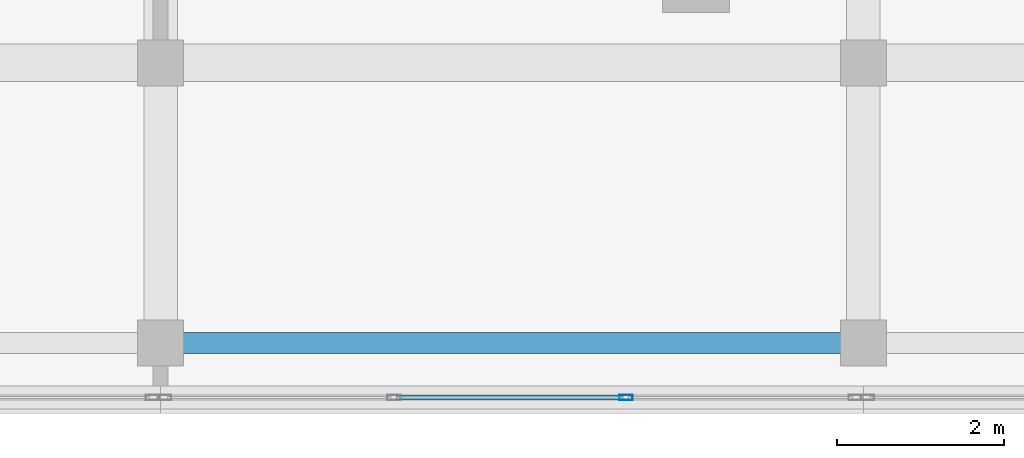
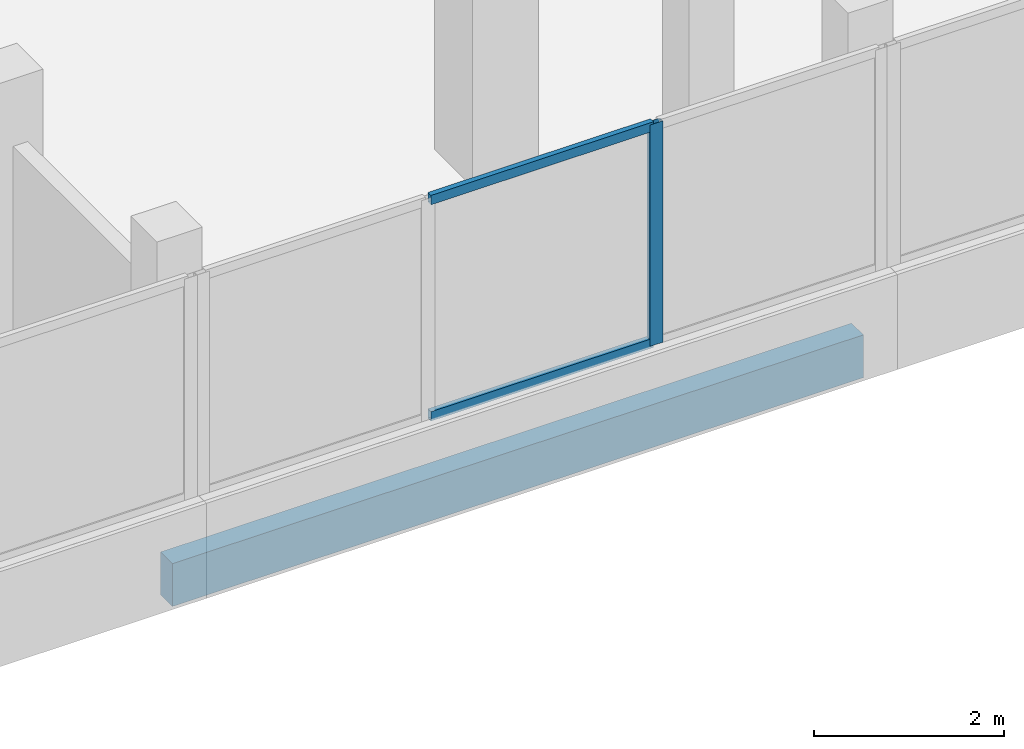
# One storey, part 14 of 66: 3 members, 1 beam, 1 element without a shape of its own.
"""IFC4 building model written with IfcOpenShell, lengths in metres."""

import ifcopenshell
import ifcopenshell.guid

model = None  # the IFC model being written
_history = None  # IfcOwnerHistory: only IFC2X3 demands one
_inside = {}  # id of a spatial element -> (the spatial element, [elements in it])
_under = {}  # id of a project, library or spatial element -> (it, [spatial elements below it])
_declared = {}  # id of a project -> (the project, [libraries it declares])
_typed = {}  # id of a type object -> (the type object, [elements of that type])
_made_of = {}  # id of a material, layer set ... -> (it, [elements and type objects made of it])


def new_model(schema):
    """Start an empty IFC model of exactly this schema.

    Asked for "IFC4X3", IfcOpenShell would pick the latest addendum, in which some entities
    have other attributes; the version numbers below select the first issue.
    IFC2X3 requires an IfcOwnerHistory on every rooted entity: one is made here for all.
    """
    global model, _history
    if schema == "IFC4X3":
        model = ifcopenshell.file(schema_version=(4, 3, 0, 0))
    else:
        model = ifcopenshell.file(schema=schema)
    _inside.clear()
    _under.clear()
    _declared.clear()
    _typed.clear()
    _made_of.clear()
    _history = None
    if model.schema == "IFC2X3":
        org = make("IfcOrganization", Name="unknown")
        user = make(
            "IfcPersonAndOrganization",
            ThePerson=make("IfcPerson", FamilyName="unknown"),
            TheOrganization=org,
        )
        app = make(
            "IfcApplication",
            ApplicationDeveloper=org,
            Version="unknown",
            ApplicationFullName="unknown",
            ApplicationIdentifier="unknown",
        )
        _history = make(
            "IfcOwnerHistory",
            OwningUser=user,
            OwningApplication=app,
            ChangeAction="ADDED",
            CreationDate=0,
        )
    return model


def make(cls, **values):
    """One entity of the class cls with the attributes given. An attribute that is None is left unset."""
    return model.create_entity(
        cls, **{name: value for name, value in values.items() if value is not None}
    )


def rooted(cls, **values):
    """An entity with a GlobalId (a new one), such as an element, a storey or a relation."""
    return make(cls, GlobalId=ifcopenshell.guid.new(), OwnerHistory=_history, **values)


def si_unit(unit_type, name, prefix=None):
    """IfcSIUnit, for example si_unit("LENGTHUNIT", "METRE", prefix="MILLI")."""
    return make("IfcSIUnit", UnitType=unit_type, Prefix=prefix, Name=name)


def assignment(units):
    """IfcUnitAssignment: the units of a project."""
    return None if units is None else make("IfcUnitAssignment", Units=units)


def point(xyz):
    """IfcCartesianPoint."""
    return None if xyz is None else make("IfcCartesianPoint", Coordinates=xyz)


def direction(xyz):
    """IfcDirection."""
    return None if xyz is None else make("IfcDirection", DirectionRatios=xyz)


def frame(location, z_axis=None, x_axis=None):
    """IfcAxis2Placement3D, a coordinate frame: its origin and axes. An axis left out is left unset."""
    return make(
        "IfcAxis2Placement3D",
        Location=point(location),
        Axis=direction(z_axis),
        RefDirection=direction(x_axis),
    )


def frame_2d(location, x_axis=None):
    """IfcAxis2Placement2D, a coordinate frame in the plane: its origin and x axis."""
    return make(
        "IfcAxis2Placement2D", Location=point(location), RefDirection=direction(x_axis)
    )


def origin():
    """The frame at (0, 0, 0) with its axes left unset."""
    return frame((0.0, 0.0, 0.0))


def origin_2d():
    """The frame at (0, 0) in the plane with its x axis left unset."""
    return frame_2d((0.0, 0.0))


def place(relative_to, where):
    """IfcLocalPlacement: puts the frame where relative to a parent placement (None: the world)."""
    return make(
        "IfcLocalPlacement", PlacementRelTo=relative_to, RelativePlacement=where
    )


def context(
    kind, dimensions, precision=None, world=None, true_north=None, identifier=None
):
    """IfcGeometricRepresentationContext, for example the 3D "Model" context."""
    return make(
        "IfcGeometricRepresentationContext",
        ContextIdentifier=identifier,
        ContextType=kind,
        CoordinateSpaceDimension=dimensions,
        Precision=precision,
        WorldCoordinateSystem=world,
        TrueNorth=true_north,
    )


def subcontext(parent, identifier, kind, view, scale=None):
    """IfcGeometricRepresentationSubContext, for example "Body" below "Model"."""
    return make(
        "IfcGeometricRepresentationSubContext",
        ContextIdentifier=identifier,
        ContextType=kind,
        ParentContext=parent,
        TargetScale=scale,
        TargetView=view,
    )


def project(units=None, contexts=None):
    """IfcProject with its units and contexts."""
    return rooted(
        "IfcProject",
        Name="project",
        RepresentationContexts=contexts,
        UnitsInContext=assignment(units),
    )


def spatial(cls, under=None, at=None, **own):
    """A site, building, storey or space (cls), placed at a placement, below another one or the project."""
    s = rooted(cls, ObjectPlacement=at, **own)
    if under is not None:
        _under.setdefault(under.id(), (under, []))[1].append(s)
    return s


def profile(cls, at=None, kind="AREA", **sizes):
    """A parametric profile (cls). Its sizes go by their IFC names, for example OverallWidth=200.0."""
    return make(cls, ProfileType=kind, Position=at, **sizes)


def rectangle(**sizes):
    """IfcRectangleProfileDef."""
    return profile("IfcRectangleProfileDef", **sizes)


def hollow_rectangle(**sizes):
    """IfcRectangleHollowProfileDef."""
    return profile("IfcRectangleHollowProfileDef", **sizes)


def extrude(swept, where, along, depth):
    """IfcExtrudedAreaSolid: the profile swept, set in the frame where, extruded along a direction by depth."""
    return make(
        "IfcExtrudedAreaSolid",
        SweptArea=swept,
        Position=where,
        ExtrudedDirection=direction(along),
        Depth=depth,
    )


def shape(context_of_items, identifier, shape_type, items):
    """IfcShapeRepresentation: the items that make up one representation, for example the "Body"."""
    return make(
        "IfcShapeRepresentation",
        ContextOfItems=context_of_items,
        RepresentationIdentifier=identifier,
        RepresentationType=shape_type,
        Items=items,
    )


def material(Name=None, Category=None):
    """IfcMaterial."""
    return make("IfcMaterial", Name=Name, Category=Category)


def material_profile(
    of_material, cross_section, Name=None, Category=None, Priority=None
):
    """IfcMaterialProfile: a cross section and its material."""
    return make(
        "IfcMaterialProfile",
        Name=Name,
        Material=of_material,
        Profile=cross_section,
        Priority=Priority,
        Category=Category,
    )


def profile_set(profiles, Name=None, composite=None):
    """IfcMaterialProfileSet."""
    return make(
        "IfcMaterialProfileSet",
        Name=Name,
        MaterialProfiles=profiles,
        CompositeProfile=composite,
    )


def made_of(thing, what):
    """Note that an element or type object is made of a material, layer set ...; save() writes the relation."""
    if what is not None:
        _made_of.setdefault(what.id(), (what, []))[1].append(thing)
    return thing


def type_object(cls, material=None, **own):
    """A type object (cls), such as IfcWallType, which elements share."""
    return made_of(rooted(cls, **own), material)


def element(
    cls,
    number,
    at=None,
    inside=None,
    cuts=None,
    type_object=None,
    material=None,
    context=None,
    identifier="Body",
    shape_type=None,
    held_by="IfcProductDefinitionShape",
    body=None,
    shapes=None,
    **own,
):
    """One element of the class cls, such as IfcWall. Its Tag is "e" and its number.

    at: its placement. inside: the storey or other place that contains it. cuts: it is an
    opening in that element (IfcRelVoidsElement). A single representation is given by context,
    identifier, shape_type and body (its items); several are given by shapes. held_by: the class
    of the entity that holds the representations. save() writes the other relations.
    """
    e = rooted(cls, Tag="e%d" % number, ObjectPlacement=at, **own)
    if body is not None:
        shapes = [shape(context, identifier, shape_type, body)]
    if shapes is not None:
        e.Representation = make(held_by, Representations=shapes)
    if inside is not None:
        _inside.setdefault(inside.id(), (inside, []))[1].append(e)
    if cuts is not None:
        rooted(
            "IfcRelVoidsElement", RelatingBuildingElement=cuts, RelatedOpeningElement=e
        )
    if type_object is not None:
        _typed.setdefault(type_object.id(), (type_object, []))[1].append(e)
    return made_of(e, material)


def aggregate(whole, parts):
    """IfcRelAggregates: a whole, such as a stair, and the parts it consists of."""
    return rooted("IfcRelAggregates", RelatingObject=whole, RelatedObjects=parts)


def save(model, path):
    """Write the relations noted so far, then the file.

    IfcRelAggregates (storeys below a building ...), IfcRelContainedInSpatialStructure (elements
    in a storey), IfcRelDefinesByType, IfcRelAssociatesMaterial and IfcRelDeclares: one each for
    every whole, place, type object, material and project.
    """
    for whole, parts in _under.values():
        aggregate(whole, parts)
    for where, things in _inside.values():
        rooted(
            "IfcRelContainedInSpatialStructure",
            RelatedElements=things,
            RelatingStructure=where,
        )
    for kind, things in _typed.values():
        rooted("IfcRelDefinesByType", RelatedObjects=things, RelatingType=kind)
    for what, things in _made_of.values():
        rooted("IfcRelAssociatesMaterial", RelatedObjects=things, RelatingMaterial=what)
    for by, libraries in _declared.values():
        rooted("IfcRelDeclares", RelatingContext=by, RelatedDefinitions=libraries)
    model.write(path)


model = new_model("IFC4")

# Units and contexts
model_context = context("Model", 3, precision=1e-05, world=origin(), true_north=direction((0.0, 1.0)))
body_context = subcontext(model_context, "Body", "Model", "MODEL_VIEW")
ifc_project = project(units=[si_unit("LENGTHUNIT", "METRE"), si_unit("AREAUNIT", "SQUARE_METRE"), si_unit("VOLUMEUNIT", "CUBIC_METRE"), si_unit("PLANEANGLEUNIT", "RADIAN"), si_unit("MASSUNIT", "GRAM", prefix="KILO")], contexts=[model_context])

# Site, building, storey
site_placement = place(None, origin())
site = spatial("IfcSite", under=ifc_project, at=site_placement, CompositionType="ELEMENT")
building_placement = place(site_placement, origin())
building = spatial("IfcBuilding", under=site, at=building_placement, Name="Selatvlak General Hospital", CompositionType="ELEMENT")
storey_placement = place(building_placement, frame((0.0, 0.0, 31.35009765625)))
storey = spatial("IfcBuildingStorey", under=building, at=storey_placement, Name="L07", CompositionType="ELEMENT", Elevation=31.35009765625)

# Beam
ifc_material_1 = material(Name="Concrete C40/50", Category="concrete")
ifc_material_profile_1 = material_profile(ifc_material_1, rectangle(XDim=0.25, YDim=0.550048828125, at=origin_2d()), Name="RC-SP 250x550")
ifc_profile_set_1 = profile_set([ifc_material_profile_1], Name="Concrete C40/50")
beam_type = type_object("IfcBeamType", Name="BM-SP2", PredefinedType="SPANDREL", material=ifc_profile_set_1)
beam_placement = place(storey_placement, frame((64.800048828125, 88.64990234375, -0.545166015625), z_axis=(1.0, 0.0, 0.0), x_axis=(0.0, 1.0, 0.0)))
element("IfcBeam", 1, at=beam_placement, inside=storey, type_object=beam_type, Name="Beam BMR-L07-2367", PredefinedType="SPANDREL", context=body_context, shape_type="SweptSolid", body=[
    extrude(rectangle(XDim=0.25, YDim=0.550048828125, at=origin_2d()), origin(), (0.0, 0.0, 1.0), 8.39990234375),
])

# Curtain wall, members
ifc_material_2 = material(Name="Solar-control Low-E double glazing", Category="glass")
curtain_wall_type = type_object("IfcCurtainWallType", Name="CW-CW-02", PredefinedType="USERDEFINED", material=ifc_material_2)
curtain_wall_placement = place(storey_placement, origin())
curtain_wall = element("IfcCurtainWall", 2, at=curtain_wall_placement, inside=storey, type_object=curtain_wall_type, Name="Glazed facade curtain wall CW-L07-0674", ObjectType="UNITISED CURTAIN WALL", PredefinedType="USERDEFINED")
ifc_material_3 = material(Name="Dark anodised aluminium mullion", Category="aluminium")
ifc_material_profile_2 = material_profile(ifc_material_3, hollow_rectangle(XDim=0.06494140625, YDim=0.159912109375, WallThickness=0.00390625, at=origin_2d()), Name="AL-MUL 65x160x4")
ifc_profile_set_2 = profile_set([ifc_material_profile_2], Name="Dark anodised aluminium mullion")
member_type_1 = type_object("IfcMemberType", Name="CWM-01", PredefinedType="MULLION", material=ifc_profile_set_2)
member_1_placement = place(storey_placement, frame((70.361572265625, 88.0, 0.93994140625), z_axis=(0.0, 0.0, 1.0), x_axis=(0.0, -1.0, 0.0)))
member_1 = element("IfcMember", 3, at=member_1_placement, type_object=member_type_1, Name="CW-02 mullion 2", PredefinedType="MULLION", context=body_context, shape_type="SweptSolid", body=[
    extrude(hollow_rectangle(XDim=0.06494140625, YDim=0.159912109375, WallThickness=0.00390625, at=origin_2d()), origin(), (0.0, 0.0, 1.0), 2.844970703125),
])
ifc_material_profile_3 = material_profile(ifc_material_3, hollow_rectangle(XDim=0.06494140625, YDim=0.1201171875, WallThickness=0.00390625, at=origin_2d()), Name="AL-TRN 65x120x4")
ifc_profile_set_3 = profile_set([ifc_material_profile_3], Name="Dark anodised aluminium mullion")
member_type_2 = type_object("IfcMemberType", Name="CWT-01", PredefinedType="USERDEFINED", material=ifc_profile_set_3)
member_2_placement = place(storey_placement, frame((70.3291015625, 88.0, 0.972412109375), z_axis=(-1.0, 0.0, 0.0), x_axis=(0.0, -1.0, 0.0)))
member_2 = element("IfcMember", 4, at=member_2_placement, type_object=member_type_2, Name="CW-02 transom 2.1", ObjectType="TRANSOM", PredefinedType="USERDEFINED", context=body_context, shape_type="SweptSolid", body=[
    extrude(hollow_rectangle(XDim=0.06494140625, YDim=0.1201171875, WallThickness=0.00390625, at=origin_2d()), origin(), (0.0, 0.0, 1.0), 2.708251953125),
])
member_3_placement = place(storey_placement, frame((70.3291015625, 88.0, 3.75244140625), z_axis=(-1.0, 0.0, 0.0), x_axis=(0.0, -1.0, 0.0)))
member_3 = element("IfcMember", 5, at=member_3_placement, type_object=member_type_2, Name="CW-02 transom 2.2", ObjectType="TRANSOM", PredefinedType="USERDEFINED", context=body_context, shape_type="SweptSolid", body=[
    extrude(hollow_rectangle(XDim=0.06494140625, YDim=0.1201171875, WallThickness=0.00390625, at=origin_2d()), origin(), (0.0, 0.0, 1.0), 2.708251953125),
])
aggregate(curtain_wall, [member_1, member_2, member_3])

save(model, "model.ifc")
